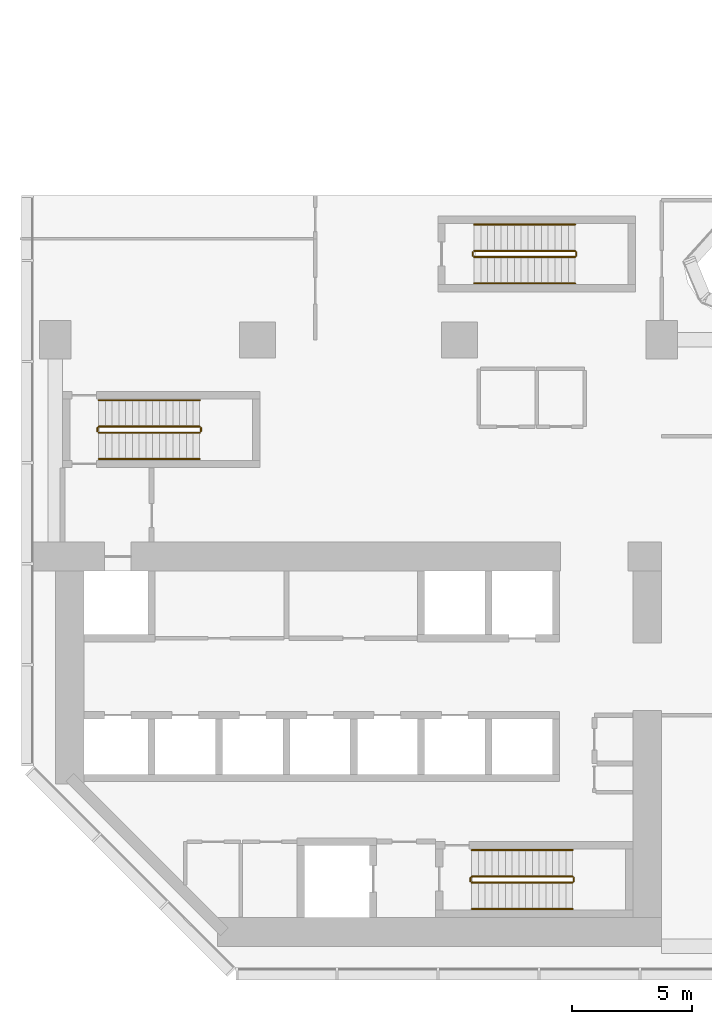
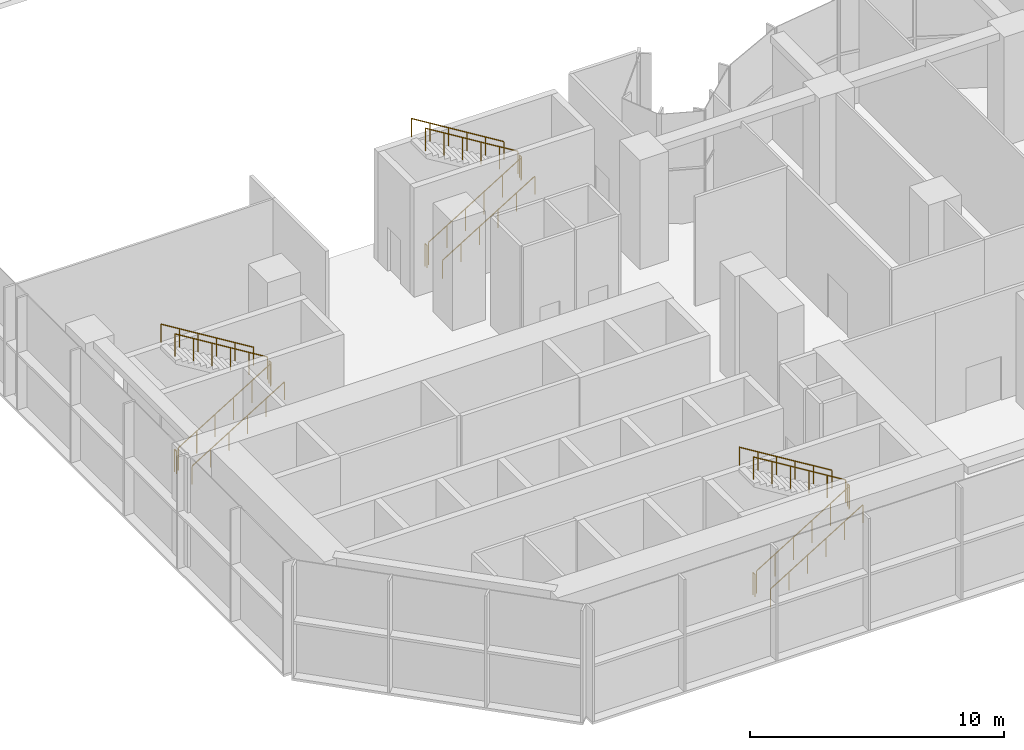
# One storey, part 14 of 16: 18 railings.
"""IFC4 building model written with IfcOpenShell, lengths in metres."""

import ifcopenshell
import ifcopenshell.guid

model = None  # the IFC model being written
_history = None  # IfcOwnerHistory: only IFC2X3 demands one
_inside = {}  # id of a spatial element -> (the spatial element, [elements in it])
_under = {}  # id of a project, library or spatial element -> (it, [spatial elements below it])
_declared = {}  # id of a project -> (the project, [libraries it declares])
_typed = {}  # id of a type object -> (the type object, [elements of that type])
_made_of = {}  # id of a material, layer set ... -> (it, [elements and type objects made of it])


def new_model(schema):
    """Start an empty IFC model of exactly this schema.

    Asked for "IFC4X3", IfcOpenShell would pick the latest addendum, in which some entities
    have other attributes; the version numbers below select the first issue.
    IFC2X3 requires an IfcOwnerHistory on every rooted entity: one is made here for all.
    """
    global model, _history
    if schema == "IFC4X3":
        model = ifcopenshell.file(schema_version=(4, 3, 0, 0))
    else:
        model = ifcopenshell.file(schema=schema)
    _inside.clear()
    _under.clear()
    _declared.clear()
    _typed.clear()
    _made_of.clear()
    _history = None
    if model.schema == "IFC2X3":
        org = make("IfcOrganization", Name="unknown")
        user = make(
            "IfcPersonAndOrganization",
            ThePerson=make("IfcPerson", FamilyName="unknown"),
            TheOrganization=org,
        )
        app = make(
            "IfcApplication",
            ApplicationDeveloper=org,
            Version="unknown",
            ApplicationFullName="unknown",
            ApplicationIdentifier="unknown",
        )
        _history = make(
            "IfcOwnerHistory",
            OwningUser=user,
            OwningApplication=app,
            ChangeAction="ADDED",
            CreationDate=0,
        )
    return model


def make(cls, **values):
    """One entity of the class cls with the attributes given. An attribute that is None is left unset."""
    return model.create_entity(
        cls, **{name: value for name, value in values.items() if value is not None}
    )


def rooted(cls, **values):
    """An entity with a GlobalId (a new one), such as an element, a storey or a relation."""
    return make(cls, GlobalId=ifcopenshell.guid.new(), OwnerHistory=_history, **values)


def si_unit(unit_type, name, prefix=None):
    """IfcSIUnit, for example si_unit("LENGTHUNIT", "METRE", prefix="MILLI")."""
    return make("IfcSIUnit", UnitType=unit_type, Prefix=prefix, Name=name)


def assignment(units):
    """IfcUnitAssignment: the units of a project."""
    return None if units is None else make("IfcUnitAssignment", Units=units)


def point(xyz):
    """IfcCartesianPoint."""
    return None if xyz is None else make("IfcCartesianPoint", Coordinates=xyz)


def direction(xyz):
    """IfcDirection."""
    return None if xyz is None else make("IfcDirection", DirectionRatios=xyz)


def frame(location, z_axis=None, x_axis=None):
    """IfcAxis2Placement3D, a coordinate frame: its origin and axes. An axis left out is left unset."""
    return make(
        "IfcAxis2Placement3D",
        Location=point(location),
        Axis=direction(z_axis),
        RefDirection=direction(x_axis),
    )


def frame_2d(location, x_axis=None):
    """IfcAxis2Placement2D, a coordinate frame in the plane: its origin and x axis."""
    return make(
        "IfcAxis2Placement2D", Location=point(location), RefDirection=direction(x_axis)
    )


def origin():
    """The frame at (0, 0, 0) with its axes left unset."""
    return frame((0.0, 0.0, 0.0))


def origin_2d():
    """The frame at (0, 0) in the plane with its x axis left unset."""
    return frame_2d((0.0, 0.0))


def place(relative_to, where):
    """IfcLocalPlacement: puts the frame where relative to a parent placement (None: the world)."""
    return make(
        "IfcLocalPlacement", PlacementRelTo=relative_to, RelativePlacement=where
    )


def context(
    kind, dimensions, precision=None, world=None, true_north=None, identifier=None
):
    """IfcGeometricRepresentationContext, for example the 3D "Model" context."""
    return make(
        "IfcGeometricRepresentationContext",
        ContextIdentifier=identifier,
        ContextType=kind,
        CoordinateSpaceDimension=dimensions,
        Precision=precision,
        WorldCoordinateSystem=world,
        TrueNorth=true_north,
    )


def subcontext(parent, identifier, kind, view, scale=None):
    """IfcGeometricRepresentationSubContext, for example "Body" below "Model"."""
    return make(
        "IfcGeometricRepresentationSubContext",
        ContextIdentifier=identifier,
        ContextType=kind,
        ParentContext=parent,
        TargetScale=scale,
        TargetView=view,
    )


def project(units=None, contexts=None):
    """IfcProject with its units and contexts."""
    return rooted(
        "IfcProject",
        Name="project",
        RepresentationContexts=contexts,
        UnitsInContext=assignment(units),
    )


def spatial(cls, under=None, at=None, **own):
    """A site, building, storey or space (cls), placed at a placement, below another one or the project."""
    s = rooted(cls, ObjectPlacement=at, **own)
    if under is not None:
        _under.setdefault(under.id(), (under, []))[1].append(s)
    return s


def profile(cls, at=None, kind="AREA", **sizes):
    """A parametric profile (cls). Its sizes go by their IFC names, for example OverallWidth=200.0."""
    return make(cls, ProfileType=kind, Position=at, **sizes)


def circle(**sizes):
    """IfcCircleProfileDef."""
    return profile("IfcCircleProfileDef", **sizes)


def extrude(swept, where, along, depth):
    """IfcExtrudedAreaSolid: the profile swept, set in the frame where, extruded along a direction by depth."""
    return make(
        "IfcExtrudedAreaSolid",
        SweptArea=swept,
        Position=where,
        ExtrudedDirection=direction(along),
        Depth=depth,
    )


def shape(context_of_items, identifier, shape_type, items):
    """IfcShapeRepresentation: the items that make up one representation, for example the "Body"."""
    return make(
        "IfcShapeRepresentation",
        ContextOfItems=context_of_items,
        RepresentationIdentifier=identifier,
        RepresentationType=shape_type,
        Items=items,
    )


def material(Name=None, Category=None):
    """IfcMaterial."""
    return make("IfcMaterial", Name=Name, Category=Category)


def made_of(thing, what):
    """Note that an element or type object is made of a material, layer set ...; save() writes the relation."""
    if what is not None:
        _made_of.setdefault(what.id(), (what, []))[1].append(thing)
    return thing


def type_object(cls, material=None, **own):
    """A type object (cls), such as IfcWallType, which elements share."""
    return made_of(rooted(cls, **own), material)


def element(
    cls,
    number,
    at=None,
    inside=None,
    cuts=None,
    type_object=None,
    material=None,
    context=None,
    identifier="Body",
    shape_type=None,
    held_by="IfcProductDefinitionShape",
    body=None,
    shapes=None,
    **own,
):
    """One element of the class cls, such as IfcWall. Its Tag is "e" and its number.

    at: its placement. inside: the storey or other place that contains it. cuts: it is an
    opening in that element (IfcRelVoidsElement). A single representation is given by context,
    identifier, shape_type and body (its items); several are given by shapes. held_by: the class
    of the entity that holds the representations. save() writes the other relations.
    """
    e = rooted(cls, Tag="e%d" % number, ObjectPlacement=at, **own)
    if body is not None:
        shapes = [shape(context, identifier, shape_type, body)]
    if shapes is not None:
        e.Representation = make(held_by, Representations=shapes)
    if inside is not None:
        _inside.setdefault(inside.id(), (inside, []))[1].append(e)
    if cuts is not None:
        rooted(
            "IfcRelVoidsElement", RelatingBuildingElement=cuts, RelatedOpeningElement=e
        )
    if type_object is not None:
        _typed.setdefault(type_object.id(), (type_object, []))[1].append(e)
    return made_of(e, material)


def aggregate(whole, parts):
    """IfcRelAggregates: a whole, such as a stair, and the parts it consists of."""
    return rooted("IfcRelAggregates", RelatingObject=whole, RelatedObjects=parts)


def save(model, path):
    """Write the relations noted so far, then the file.

    IfcRelAggregates (storeys below a building ...), IfcRelContainedInSpatialStructure (elements
    in a storey), IfcRelDefinesByType, IfcRelAssociatesMaterial and IfcRelDeclares: one each for
    every whole, place, type object, material and project.
    """
    for whole, parts in _under.values():
        aggregate(whole, parts)
    for where, things in _inside.values():
        rooted(
            "IfcRelContainedInSpatialStructure",
            RelatedElements=things,
            RelatingStructure=where,
        )
    for kind, things in _typed.values():
        rooted("IfcRelDefinesByType", RelatedObjects=things, RelatingType=kind)
    for what, things in _made_of.values():
        rooted("IfcRelAssociatesMaterial", RelatedObjects=things, RelatingMaterial=what)
    for by, libraries in _declared.values():
        rooted("IfcRelDeclares", RelatingContext=by, RelatedDefinitions=libraries)
    model.write(path)


model = new_model("IFC4")

# Units and contexts
model_context = context("Model", 3, precision=1e-05, world=origin(), true_north=direction((0.0, 1.0)))
body_context = subcontext(model_context, "Body", "Model", "MODEL_VIEW")
ifc_project = project(units=[si_unit("LENGTHUNIT", "METRE"), si_unit("AREAUNIT", "SQUARE_METRE"), si_unit("VOLUMEUNIT", "CUBIC_METRE"), si_unit("PLANEANGLEUNIT", "RADIAN"), si_unit("MASSUNIT", "GRAM", prefix="KILO")], contexts=[model_context])

# Site, building, storey
site_placement = place(None, origin())
site = spatial("IfcSite", under=ifc_project, at=site_placement, CompositionType="ELEMENT")
building_placement = place(site_placement, origin())
building = spatial("IfcBuilding", under=site, at=building_placement, Name="Brevane Broadcast Tower", CompositionType="ELEMENT")
storey_placement = place(building_placement, frame((0.0, 0.0, 7.0)))
storey = spatial("IfcBuildingStorey", under=building, at=storey_placement, Name="L01", CompositionType="ELEMENT", Elevation=7.0)

# Railings
ifc_material = material(Name="Steel S355", Category="steel")
railing_type_1 = type_object("IfcRailingType", Name="Exit stair guard", PredefinedType="GUARDRAIL", material=ifc_material)
railing_1_placement = place(storey_placement, frame((1.800048828125, 21.35009765625, 0.171875)))
element("IfcRailing", 1, at=railing_1_placement, inside=storey, type_object=railing_type_1, Name="L01 ST-1 stair guard 1", PredefinedType="GUARDRAIL", context=body_context, shape_type="SweptSolid", body=[
    extrude(circle(Radius=0.02392578125, at=origin_2d()), frame((0.0, 0.0, 1.076171875), z_axis=(0.852242915053, 0.0, 0.523146264196), x_axis=(0.0, 1.0, 0.0)), (0.0, 0.0, 1.0), 4.92822265625),
    extrude(circle(Radius=0.02099609375, at=origin_2d()), origin(), (0.0, 0.0, 1.0), 1.052001953125),
    extrude(circle(Radius=0.02099609375, at=origin_2d()), frame((0.840087890625, 0.0, 0.515625)), (0.0, 0.0, 1.0), 1.052001953125),
    extrude(circle(Radius=0.02099609375, at=origin_2d()), frame((1.679931640625, 0.0, 1.03125)), (0.0, 0.0, 1.0), 1.052001953125),
    extrude(circle(Radius=0.02099609375, at=origin_2d()), frame((2.52001953125, 0.0, 1.546875)), (0.0, 0.0, 1.0), 1.052001953125),
    extrude(circle(Radius=0.02099609375, at=origin_2d()), frame((3.35986328125, 0.0, 2.0625)), (0.0, 0.0, 1.0), 1.052001953125),
    extrude(circle(Radius=0.02099609375, at=origin_2d()), frame((4.199951171875, 0.0, 2.578125)), (0.0, 0.0, 1.0), 1.052001953125),
])
railing_2_placement = place(storey_placement, frame((6.050048828125, 21.39990234375, 2.75)))
element("IfcRailing", 2, at=railing_2_placement, inside=storey, type_object=railing_type_1, Name="L01 ST-1 stair guard 2", PredefinedType="GUARDRAIL", context=body_context, shape_type="SweptSolid", body=[
    extrude(circle(Radius=0.02392578125, at=origin_2d()), frame((0.0, 0.0, 1.076171875), z_axis=(0.0, 1.0, 0.0), x_axis=(-1.0, 0.0, 0.0)), (0.0, 0.0, 1.0), 0.150146484375),
    extrude(circle(Radius=0.02099609375, at=origin_2d()), origin(), (0.0, 0.0, 1.0), 1.052001953125),
    extrude(circle(Radius=0.02099609375, at=origin_2d()), frame((0.0, 0.150146484375, 0.0)), (0.0, 0.0, 1.0), 1.052001953125),
])
railing_3_placement = place(storey_placement, frame((6.0, 21.60009765625, 2.921875)))
element("IfcRailing", 3, at=railing_3_placement, inside=storey, type_object=railing_type_1, Name="L01 ST-1 stair guard 3", PredefinedType="GUARDRAIL", context=body_context, shape_type="SweptSolid", body=[
    extrude(circle(Radius=0.02392578125, at=origin_2d()), frame((0.0, 0.0, 1.076171875), z_axis=(-0.852242915053, 0.0, 0.523146264196), x_axis=(0.0, -1.0, 0.0)), (0.0, 0.0, 1.0), 4.92822265625),
    extrude(circle(Radius=0.02099609375, at=origin_2d()), origin(), (0.0, 0.0, 1.0), 1.052001953125),
    extrude(circle(Radius=0.02099609375, at=origin_2d()), frame((-0.840087890625, 0.0, 0.515625)), (0.0, 0.0, 1.0), 1.052001953125),
    extrude(circle(Radius=0.02099609375, at=origin_2d()), frame((-1.679931640625, 0.0, 1.03125)), (0.0, 0.0, 1.0), 1.052001953125),
    extrude(circle(Radius=0.02099609375, at=origin_2d()), frame((-2.52001953125, 0.0, 1.546875)), (0.0, 0.0, 1.0), 1.052001953125),
    extrude(circle(Radius=0.02099609375, at=origin_2d()), frame((-3.35986328125, 0.0, 2.0625)), (0.0, 0.0, 1.0), 1.052001953125),
    extrude(circle(Radius=0.02099609375, at=origin_2d()), frame((-4.199951171875, 0.0, 2.578125)), (0.0, 0.0, 1.0), 1.052001953125),
])
railing_4_placement = place(storey_placement, frame((1.75, 21.39990234375, 0.0)))
element("IfcRailing", 4, at=railing_4_placement, inside=storey, type_object=railing_type_1, Name="L01 ST-1 stair guard 4", PredefinedType="GUARDRAIL", context=body_context, shape_type="SweptSolid", body=[
    extrude(circle(Radius=0.02392578125, at=origin_2d()), frame((0.0, 0.0, 1.076171875), z_axis=(0.0, 1.0, 0.0), x_axis=(-1.0, 0.0, 0.0)), (0.0, 0.0, 1.0), 0.150146484375),
    extrude(circle(Radius=0.02099609375, at=origin_2d()), origin(), (0.0, 0.0, 1.0), 1.052001953125),
    extrude(circle(Radius=0.02099609375, at=origin_2d()), frame((0.0, 0.150146484375, 0.0)), (0.0, 0.0, 1.0), 1.052001953125),
])
railing_5_placement = place(storey_placement, frame((17.300048828125, 2.64990234375, 0.171875)))
element("IfcRailing", 5, at=railing_5_placement, inside=storey, type_object=railing_type_1, Name="L01 ST-2 stair guard 1", PredefinedType="GUARDRAIL", context=body_context, shape_type="SweptSolid", body=[
    extrude(circle(Radius=0.02392578125, at=origin_2d()), frame((0.0, 0.0, 1.076171875), z_axis=(0.852242915053, 0.0, 0.523146264196), x_axis=(0.0, 1.0, 0.0)), (0.0, 0.0, 1.0), 4.92822265625),
    extrude(circle(Radius=0.02099609375, at=origin_2d()), origin(), (0.0, 0.0, 1.0), 1.052001953125),
    extrude(circle(Radius=0.02099609375, at=origin_2d()), frame((0.840087890625, 0.0, 0.515625)), (0.0, 0.0, 1.0), 1.052001953125),
    extrude(circle(Radius=0.02099609375, at=origin_2d()), frame((1.679931640625, 0.0, 1.03125)), (0.0, 0.0, 1.0), 1.052001953125),
    extrude(circle(Radius=0.02099609375, at=origin_2d()), frame((2.52001953125, 0.0, 1.546875)), (0.0, 0.0, 1.0), 1.052001953125),
    extrude(circle(Radius=0.02099609375, at=origin_2d()), frame((3.35986328125, 0.0, 2.0625)), (0.0, 0.0, 1.0), 1.052001953125),
    extrude(circle(Radius=0.02099609375, at=origin_2d()), frame((4.199951171875, 0.0, 2.578125)), (0.0, 0.0, 1.0), 1.052001953125),
])
railing_6_placement = place(storey_placement, frame((21.550048828125, 2.699951171875, 2.75)))
element("IfcRailing", 6, at=railing_6_placement, inside=storey, type_object=railing_type_1, Name="L01 ST-2 stair guard 2", PredefinedType="GUARDRAIL", context=body_context, shape_type="SweptSolid", body=[
    extrude(circle(Radius=0.02392578125, at=origin_2d()), frame((0.0, 0.0, 1.076171875), z_axis=(0.0, 1.0, 0.0), x_axis=(-1.0, 0.0, 0.0)), (0.0, 0.0, 1.0), 0.150146484375),
    extrude(circle(Radius=0.02099609375, at=origin_2d()), origin(), (0.0, 0.0, 1.0), 1.052001953125),
    extrude(circle(Radius=0.02099609375, at=origin_2d()), frame((0.0, 0.150146484375, 0.0)), (0.0, 0.0, 1.0), 1.052001953125),
])
railing_7_placement = place(storey_placement, frame((21.5, 2.89990234375, 2.921875)))
element("IfcRailing", 7, at=railing_7_placement, inside=storey, type_object=railing_type_1, Name="L01 ST-2 stair guard 3", PredefinedType="GUARDRAIL", context=body_context, shape_type="SweptSolid", body=[
    extrude(circle(Radius=0.02392578125, at=origin_2d()), frame((0.0, 0.0, 1.076171875), z_axis=(-0.852242915053, 0.0, 0.523146264196), x_axis=(0.0, -1.0, 0.0)), (0.0, 0.0, 1.0), 4.92822265625),
    extrude(circle(Radius=0.02099609375, at=origin_2d()), origin(), (0.0, 0.0, 1.0), 1.052001953125),
    extrude(circle(Radius=0.02099609375, at=origin_2d()), frame((-0.840087890625, 0.0, 0.515625)), (0.0, 0.0, 1.0), 1.052001953125),
    extrude(circle(Radius=0.02099609375, at=origin_2d()), frame((-1.679931640625, 0.0, 1.03125)), (0.0, 0.0, 1.0), 1.052001953125),
    extrude(circle(Radius=0.02099609375, at=origin_2d()), frame((-2.52001953125, 0.0, 1.546875)), (0.0, 0.0, 1.0), 1.052001953125),
    extrude(circle(Radius=0.02099609375, at=origin_2d()), frame((-3.35986328125, 0.0, 2.0625)), (0.0, 0.0, 1.0), 1.052001953125),
    extrude(circle(Radius=0.02099609375, at=origin_2d()), frame((-4.199951171875, 0.0, 2.578125)), (0.0, 0.0, 1.0), 1.052001953125),
])
railing_8_placement = place(storey_placement, frame((17.25, 2.699951171875, 0.0)))
element("IfcRailing", 8, at=railing_8_placement, inside=storey, type_object=railing_type_1, Name="L01 ST-2 stair guard 4", PredefinedType="GUARDRAIL", context=body_context, shape_type="SweptSolid", body=[
    extrude(circle(Radius=0.02392578125, at=origin_2d()), frame((0.0, 0.0, 1.076171875), z_axis=(0.0, 1.0, 0.0), x_axis=(-1.0, 0.0, 0.0)), (0.0, 0.0, 1.0), 0.150146484375),
    extrude(circle(Radius=0.02099609375, at=origin_2d()), origin(), (0.0, 0.0, 1.0), 1.052001953125),
    extrude(circle(Radius=0.02099609375, at=origin_2d()), frame((0.0, 0.150146484375, 0.0)), (0.0, 0.0, 1.0), 1.052001953125),
])
railing_9_placement = place(storey_placement, frame((17.39990234375, 28.64990234375, 0.171875)))
element("IfcRailing", 9, at=railing_9_placement, inside=storey, type_object=railing_type_1, Name="L01 ST-3 stair guard 1", PredefinedType="GUARDRAIL", context=body_context, shape_type="SweptSolid", body=[
    extrude(circle(Radius=0.02392578125, at=origin_2d()), frame((0.0, 0.0, 1.076171875), z_axis=(0.852256472501, 0.0, 0.523124177495), x_axis=(0.0, 1.0, 0.0)), (0.0, 0.0, 1.0), 4.92822265625),
    extrude(circle(Radius=0.02099609375, at=origin_2d()), origin(), (0.0, 0.0, 1.0), 1.052001953125),
    extrude(circle(Radius=0.02099609375, at=origin_2d()), frame((0.840087890625, 0.0, 0.515625)), (0.0, 0.0, 1.0), 1.052001953125),
    extrude(circle(Radius=0.02099609375, at=origin_2d()), frame((1.68017578125, 0.0, 1.03125)), (0.0, 0.0, 1.0), 1.052001953125),
    extrude(circle(Radius=0.02099609375, at=origin_2d()), frame((2.52001953125, 0.0, 1.546875)), (0.0, 0.0, 1.0), 1.052001953125),
    extrude(circle(Radius=0.02099609375, at=origin_2d()), frame((3.360107421875, 0.0, 2.0625)), (0.0, 0.0, 1.0), 1.052001953125),
    extrude(circle(Radius=0.02099609375, at=origin_2d()), frame((4.2001953125, 0.0, 2.578125)), (0.0, 0.0, 1.0), 1.052001953125),
])
railing_10_placement = place(storey_placement, frame((21.64990234375, 28.699951171875, 2.75)))
element("IfcRailing", 10, at=railing_10_placement, inside=storey, type_object=railing_type_1, Name="L01 ST-3 stair guard 2", PredefinedType="GUARDRAIL", context=body_context, shape_type="SweptSolid", body=[
    extrude(circle(Radius=0.02392578125, at=origin_2d()), frame((0.0, 0.0, 1.076171875), z_axis=(0.0, 1.0, 0.0), x_axis=(-1.0, 0.0, 0.0)), (0.0, 0.0, 1.0), 0.150146484375),
    extrude(circle(Radius=0.02099609375, at=origin_2d()), origin(), (0.0, 0.0, 1.0), 1.052001953125),
    extrude(circle(Radius=0.02099609375, at=origin_2d()), frame((0.0, 0.150146484375, 0.0)), (0.0, 0.0, 1.0), 1.052001953125),
])
railing_11_placement = place(storey_placement, frame((21.60009765625, 28.89990234375, 2.921875)))
element("IfcRailing", 11, at=railing_11_placement, inside=storey, type_object=railing_type_1, Name="L01 ST-3 stair guard 3", PredefinedType="GUARDRAIL", context=body_context, shape_type="SweptSolid", body=[
    extrude(circle(Radius=0.02392578125, at=origin_2d()), frame((0.0, 0.0, 1.076171875), z_axis=(-0.852256472501, 0.0, 0.523124177495), x_axis=(0.0, -1.0, 0.0)), (0.0, 0.0, 1.0), 4.92822265625),
    extrude(circle(Radius=0.02099609375, at=origin_2d()), origin(), (0.0, 0.0, 1.0), 1.052001953125),
    extrude(circle(Radius=0.02099609375, at=origin_2d()), frame((-0.840087890625, 0.0, 0.515625)), (0.0, 0.0, 1.0), 1.052001953125),
    extrude(circle(Radius=0.02099609375, at=origin_2d()), frame((-1.68017578125, 0.0, 1.03125)), (0.0, 0.0, 1.0), 1.052001953125),
    extrude(circle(Radius=0.02099609375, at=origin_2d()), frame((-2.52001953125, 0.0, 1.546875)), (0.0, 0.0, 1.0), 1.052001953125),
    extrude(circle(Radius=0.02099609375, at=origin_2d()), frame((-3.360107421875, 0.0, 2.0625)), (0.0, 0.0, 1.0), 1.052001953125),
    extrude(circle(Radius=0.02099609375, at=origin_2d()), frame((-4.2001953125, 0.0, 2.578125)), (0.0, 0.0, 1.0), 1.052001953125),
])
railing_12_placement = place(storey_placement, frame((17.35009765625, 28.699951171875, 0.0)))
element("IfcRailing", 12, at=railing_12_placement, inside=storey, type_object=railing_type_1, Name="L01 ST-3 stair guard 4", PredefinedType="GUARDRAIL", context=body_context, shape_type="SweptSolid", body=[
    extrude(circle(Radius=0.02392578125, at=origin_2d()), frame((0.0, 0.0, 1.076171875), z_axis=(0.0, 1.0, 0.0), x_axis=(-1.0, 0.0, 0.0)), (0.0, 0.0, 1.0), 0.150146484375),
    extrude(circle(Radius=0.02099609375, at=origin_2d()), origin(), (0.0, 0.0, 1.0), 1.052001953125),
    extrude(circle(Radius=0.02099609375, at=origin_2d()), frame((0.0, 0.150146484375, 0.0)), (0.0, 0.0, 1.0), 1.052001953125),
])
railing_type_2 = type_object("IfcRailingType", Name="Exit stair handrail", PredefinedType="HANDRAIL", material=ifc_material)
railing_13_placement = place(storey_placement, frame((1.800048828125, 20.25, 0.171875)))
element("IfcRailing", 13, at=railing_13_placement, inside=storey, type_object=railing_type_2, Name="L01 ST-1 stair handrail 1", PredefinedType="HANDRAIL", context=body_context, shape_type="SweptSolid", body=[
    extrude(circle(Radius=0.02392578125, at=origin_2d()), frame((0.0, 0.0, 0.8759765625), z_axis=(0.852242915053, 0.0, 0.523146264196), x_axis=(0.0, 1.0, 0.0)), (0.0, 0.0, 1.0), 4.92822265625),
    extrude(circle(Radius=0.02099609375, at=origin_2d()), origin(), (0.0, 0.0, 1.0), 0.851806640625),
    extrude(circle(Radius=0.02099609375, at=origin_2d()), frame((0.840087890625, 0.0, 0.515625)), (0.0, 0.0, 1.0), 0.851806640625),
    extrude(circle(Radius=0.02099609375, at=origin_2d()), frame((1.679931640625, 0.0, 1.03125)), (0.0, 0.0, 1.0), 0.851806640625),
    extrude(circle(Radius=0.02099609375, at=origin_2d()), frame((2.52001953125, 0.0, 1.546875)), (0.0, 0.0, 1.0), 0.851806640625),
    extrude(circle(Radius=0.02099609375, at=origin_2d()), frame((3.35986328125, 0.0, 2.0625)), (0.0, 0.0, 1.0), 0.851806640625),
    extrude(circle(Radius=0.02099609375, at=origin_2d()), frame((4.199951171875, 0.0, 2.578125)), (0.0, 0.0, 1.0), 0.851806640625),
])
railing_14_placement = place(storey_placement, frame((6.0, 22.699951171875, 2.921875)))
element("IfcRailing", 14, at=railing_14_placement, inside=storey, type_object=railing_type_2, Name="L01 ST-1 stair handrail 2", PredefinedType="HANDRAIL", context=body_context, shape_type="SweptSolid", body=[
    extrude(circle(Radius=0.02392578125, at=origin_2d()), frame((0.0, 0.0, 0.8759765625), z_axis=(-0.852242915053, 0.0, 0.523146264196), x_axis=(0.0, -1.0, 0.0)), (0.0, 0.0, 1.0), 4.92822265625),
    extrude(circle(Radius=0.02099609375, at=origin_2d()), origin(), (0.0, 0.0, 1.0), 0.851806640625),
    extrude(circle(Radius=0.02099609375, at=origin_2d()), frame((-0.840087890625, 0.0, 0.515625)), (0.0, 0.0, 1.0), 0.851806640625),
    extrude(circle(Radius=0.02099609375, at=origin_2d()), frame((-1.679931640625, 0.0, 1.03125)), (0.0, 0.0, 1.0), 0.851806640625),
    extrude(circle(Radius=0.02099609375, at=origin_2d()), frame((-2.52001953125, 0.0, 1.546875)), (0.0, 0.0, 1.0), 0.851806640625),
    extrude(circle(Radius=0.02099609375, at=origin_2d()), frame((-3.35986328125, 0.0, 2.0625)), (0.0, 0.0, 1.0), 0.851806640625),
    extrude(circle(Radius=0.02099609375, at=origin_2d()), frame((-4.199951171875, 0.0, 2.578125)), (0.0, 0.0, 1.0), 0.851806640625),
])
railing_15_placement = place(storey_placement, frame((17.300048828125, 1.550048828125, 0.171875)))
element("IfcRailing", 15, at=railing_15_placement, inside=storey, type_object=railing_type_2, Name="L01 ST-2 stair handrail 1", PredefinedType="HANDRAIL", context=body_context, shape_type="SweptSolid", body=[
    extrude(circle(Radius=0.02392578125, at=origin_2d()), frame((0.0, 0.0, 0.8759765625), z_axis=(0.852242915053, 0.0, 0.523146264196), x_axis=(0.0, 1.0, 0.0)), (0.0, 0.0, 1.0), 4.92822265625),
    extrude(circle(Radius=0.02099609375, at=origin_2d()), origin(), (0.0, 0.0, 1.0), 0.851806640625),
    extrude(circle(Radius=0.02099609375, at=origin_2d()), frame((0.840087890625, 0.0, 0.515625)), (0.0, 0.0, 1.0), 0.851806640625),
    extrude(circle(Radius=0.02099609375, at=origin_2d()), frame((1.679931640625, 0.0, 1.03125)), (0.0, 0.0, 1.0), 0.851806640625),
    extrude(circle(Radius=0.02099609375, at=origin_2d()), frame((2.52001953125, 0.0, 1.546875)), (0.0, 0.0, 1.0), 0.851806640625),
    extrude(circle(Radius=0.02099609375, at=origin_2d()), frame((3.35986328125, 0.0, 2.0625)), (0.0, 0.0, 1.0), 0.851806640625),
    extrude(circle(Radius=0.02099609375, at=origin_2d()), frame((4.199951171875, 0.0, 2.578125)), (0.0, 0.0, 1.0), 0.851806640625),
])
railing_16_placement = place(storey_placement, frame((21.5, 4.0, 2.921875)))
element("IfcRailing", 16, at=railing_16_placement, inside=storey, type_object=railing_type_2, Name="L01 ST-2 stair handrail 2", PredefinedType="HANDRAIL", context=body_context, shape_type="SweptSolid", body=[
    extrude(circle(Radius=0.02392578125, at=origin_2d()), frame((0.0, 0.0, 0.8759765625), z_axis=(-0.852242915053, 0.0, 0.523146264196), x_axis=(0.0, -1.0, 0.0)), (0.0, 0.0, 1.0), 4.92822265625),
    extrude(circle(Radius=0.02099609375, at=origin_2d()), origin(), (0.0, 0.0, 1.0), 0.851806640625),
    extrude(circle(Radius=0.02099609375, at=origin_2d()), frame((-0.840087890625, 0.0, 0.515625)), (0.0, 0.0, 1.0), 0.851806640625),
    extrude(circle(Radius=0.02099609375, at=origin_2d()), frame((-1.679931640625, 0.0, 1.03125)), (0.0, 0.0, 1.0), 0.851806640625),
    extrude(circle(Radius=0.02099609375, at=origin_2d()), frame((-2.52001953125, 0.0, 1.546875)), (0.0, 0.0, 1.0), 0.851806640625),
    extrude(circle(Radius=0.02099609375, at=origin_2d()), frame((-3.35986328125, 0.0, 2.0625)), (0.0, 0.0, 1.0), 0.851806640625),
    extrude(circle(Radius=0.02099609375, at=origin_2d()), frame((-4.199951171875, 0.0, 2.578125)), (0.0, 0.0, 1.0), 0.851806640625),
])
railing_17_placement = place(storey_placement, frame((17.39990234375, 27.550048828125, 0.171875)))
element("IfcRailing", 17, at=railing_17_placement, inside=storey, type_object=railing_type_2, Name="L01 ST-3 stair handrail 1", PredefinedType="HANDRAIL", context=body_context, shape_type="SweptSolid", body=[
    extrude(circle(Radius=0.02392578125, at=origin_2d()), frame((0.0, 0.0, 0.8759765625), z_axis=(0.852256472501, 0.0, 0.523124177495), x_axis=(0.0, 1.0, 0.0)), (0.0, 0.0, 1.0), 4.92822265625),
    extrude(circle(Radius=0.02099609375, at=origin_2d()), origin(), (0.0, 0.0, 1.0), 0.851806640625),
    extrude(circle(Radius=0.02099609375, at=origin_2d()), frame((0.840087890625, 0.0, 0.515625)), (0.0, 0.0, 1.0), 0.851806640625),
    extrude(circle(Radius=0.02099609375, at=origin_2d()), frame((1.68017578125, 0.0, 1.03125)), (0.0, 0.0, 1.0), 0.851806640625),
    extrude(circle(Radius=0.02099609375, at=origin_2d()), frame((2.52001953125, 0.0, 1.546875)), (0.0, 0.0, 1.0), 0.851806640625),
    extrude(circle(Radius=0.02099609375, at=origin_2d()), frame((3.360107421875, 0.0, 2.0625)), (0.0, 0.0, 1.0), 0.851806640625),
    extrude(circle(Radius=0.02099609375, at=origin_2d()), frame((4.2001953125, 0.0, 2.578125)), (0.0, 0.0, 1.0), 0.851806640625),
])
railing_18_placement = place(storey_placement, frame((21.60009765625, 30.0, 2.921875)))
element("IfcRailing", 18, at=railing_18_placement, inside=storey, type_object=railing_type_2, Name="L01 ST-3 stair handrail 2", PredefinedType="HANDRAIL", context=body_context, shape_type="SweptSolid", body=[
    extrude(circle(Radius=0.02392578125, at=origin_2d()), frame((0.0, 0.0, 0.8759765625), z_axis=(-0.852256472501, 0.0, 0.523124177495), x_axis=(0.0, -1.0, 0.0)), (0.0, 0.0, 1.0), 4.92822265625),
    extrude(circle(Radius=0.02099609375, at=origin_2d()), origin(), (0.0, 0.0, 1.0), 0.851806640625),
    extrude(circle(Radius=0.02099609375, at=origin_2d()), frame((-0.840087890625, 0.0, 0.515625)), (0.0, 0.0, 1.0), 0.851806640625),
    extrude(circle(Radius=0.02099609375, at=origin_2d()), frame((-1.68017578125, 0.0, 1.03125)), (0.0, 0.0, 1.0), 0.851806640625),
    extrude(circle(Radius=0.02099609375, at=origin_2d()), frame((-2.52001953125, 0.0, 1.546875)), (0.0, 0.0, 1.0), 0.851806640625),
    extrude(circle(Radius=0.02099609375, at=origin_2d()), frame((-3.360107421875, 0.0, 2.0625)), (0.0, 0.0, 1.0), 0.851806640625),
    extrude(circle(Radius=0.02099609375, at=origin_2d()), frame((-4.2001953125, 0.0, 2.578125)), (0.0, 0.0, 1.0), 0.851806640625),
])

save(model, "model.ifc")
